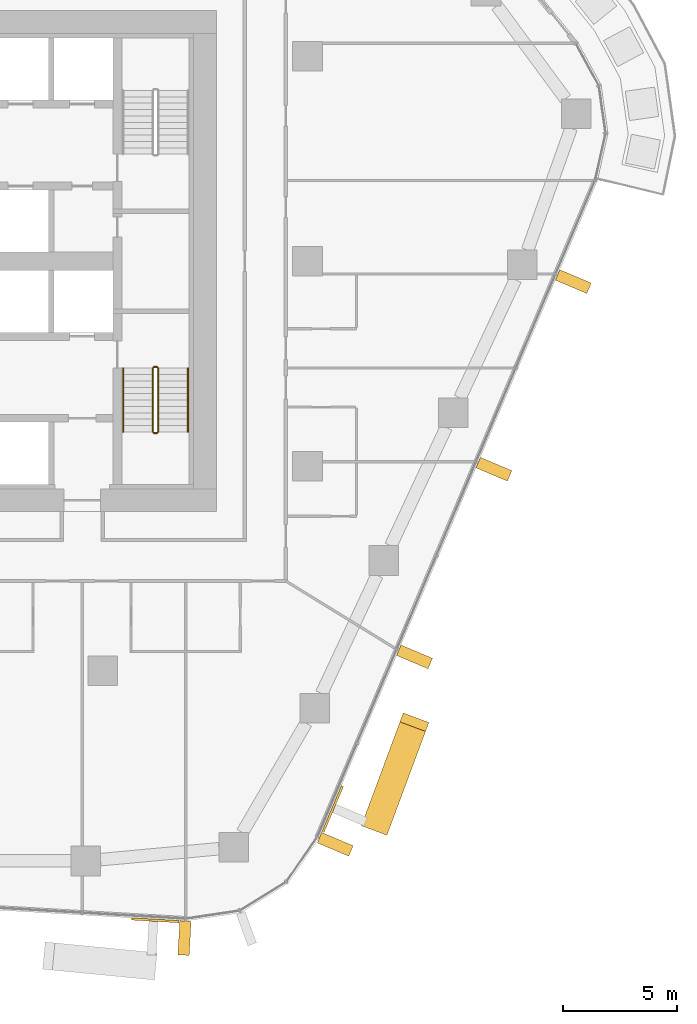
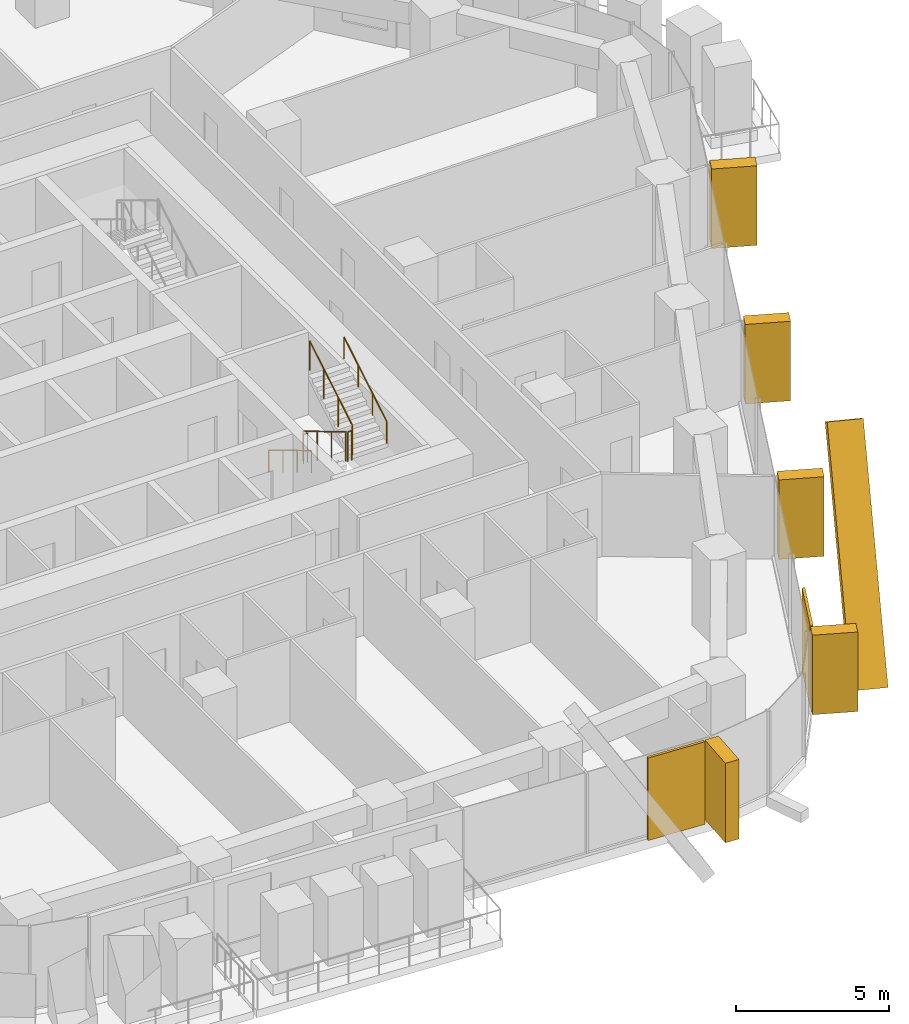
# One storey, part 20 of 23: 8 coverings, 6 railings, 2 elements without a shape of their own.
"""IFC4 building model written with IfcOpenShell, lengths in metres."""

import ifcopenshell
import ifcopenshell.guid

model = None  # the IFC model being written
_history = None  # IfcOwnerHistory: only IFC2X3 demands one
_inside = {}  # id of a spatial element -> (the spatial element, [elements in it])
_under = {}  # id of a project, library or spatial element -> (it, [spatial elements below it])
_declared = {}  # id of a project -> (the project, [libraries it declares])
_typed = {}  # id of a type object -> (the type object, [elements of that type])
_made_of = {}  # id of a material, layer set ... -> (it, [elements and type objects made of it])


def new_model(schema):
    """Start an empty IFC model of exactly this schema.

    Asked for "IFC4X3", IfcOpenShell would pick the latest addendum, in which some entities
    have other attributes; the version numbers below select the first issue.
    IFC2X3 requires an IfcOwnerHistory on every rooted entity: one is made here for all.
    """
    global model, _history
    if schema == "IFC4X3":
        model = ifcopenshell.file(schema_version=(4, 3, 0, 0))
    else:
        model = ifcopenshell.file(schema=schema)
    _inside.clear()
    _under.clear()
    _declared.clear()
    _typed.clear()
    _made_of.clear()
    _history = None
    if model.schema == "IFC2X3":
        org = make("IfcOrganization", Name="unknown")
        user = make(
            "IfcPersonAndOrganization",
            ThePerson=make("IfcPerson", FamilyName="unknown"),
            TheOrganization=org,
        )
        app = make(
            "IfcApplication",
            ApplicationDeveloper=org,
            Version="unknown",
            ApplicationFullName="unknown",
            ApplicationIdentifier="unknown",
        )
        _history = make(
            "IfcOwnerHistory",
            OwningUser=user,
            OwningApplication=app,
            ChangeAction="ADDED",
            CreationDate=0,
        )
    return model


def make(cls, **values):
    """One entity of the class cls with the attributes given. An attribute that is None is left unset."""
    return model.create_entity(
        cls, **{name: value for name, value in values.items() if value is not None}
    )


def rooted(cls, **values):
    """An entity with a GlobalId (a new one), such as an element, a storey or a relation."""
    return make(cls, GlobalId=ifcopenshell.guid.new(), OwnerHistory=_history, **values)


def si_unit(unit_type, name, prefix=None):
    """IfcSIUnit, for example si_unit("LENGTHUNIT", "METRE", prefix="MILLI")."""
    return make("IfcSIUnit", UnitType=unit_type, Prefix=prefix, Name=name)


def assignment(units):
    """IfcUnitAssignment: the units of a project."""
    return None if units is None else make("IfcUnitAssignment", Units=units)


def point(xyz):
    """IfcCartesianPoint."""
    return None if xyz is None else make("IfcCartesianPoint", Coordinates=xyz)


def direction(xyz):
    """IfcDirection."""
    return None if xyz is None else make("IfcDirection", DirectionRatios=xyz)


def frame(location, z_axis=None, x_axis=None):
    """IfcAxis2Placement3D, a coordinate frame: its origin and axes. An axis left out is left unset."""
    return make(
        "IfcAxis2Placement3D",
        Location=point(location),
        Axis=direction(z_axis),
        RefDirection=direction(x_axis),
    )


def frame_2d(location, x_axis=None):
    """IfcAxis2Placement2D, a coordinate frame in the plane: its origin and x axis."""
    return make(
        "IfcAxis2Placement2D", Location=point(location), RefDirection=direction(x_axis)
    )


def origin():
    """The frame at (0, 0, 0) with its axes left unset."""
    return frame((0.0, 0.0, 0.0))


def origin_2d():
    """The frame at (0, 0) in the plane with its x axis left unset."""
    return frame_2d((0.0, 0.0))


def place(relative_to, where):
    """IfcLocalPlacement: puts the frame where relative to a parent placement (None: the world)."""
    return make(
        "IfcLocalPlacement", PlacementRelTo=relative_to, RelativePlacement=where
    )


def context(
    kind, dimensions, precision=None, world=None, true_north=None, identifier=None
):
    """IfcGeometricRepresentationContext, for example the 3D "Model" context."""
    return make(
        "IfcGeometricRepresentationContext",
        ContextIdentifier=identifier,
        ContextType=kind,
        CoordinateSpaceDimension=dimensions,
        Precision=precision,
        WorldCoordinateSystem=world,
        TrueNorth=true_north,
    )


def subcontext(parent, identifier, kind, view, scale=None):
    """IfcGeometricRepresentationSubContext, for example "Body" below "Model"."""
    return make(
        "IfcGeometricRepresentationSubContext",
        ContextIdentifier=identifier,
        ContextType=kind,
        ParentContext=parent,
        TargetScale=scale,
        TargetView=view,
    )


def project(units=None, contexts=None):
    """IfcProject with its units and contexts."""
    return rooted(
        "IfcProject",
        Name="project",
        RepresentationContexts=contexts,
        UnitsInContext=assignment(units),
    )


def spatial(cls, under=None, at=None, **own):
    """A site, building, storey or space (cls), placed at a placement, below another one or the project."""
    s = rooted(cls, ObjectPlacement=at, **own)
    if under is not None:
        _under.setdefault(under.id(), (under, []))[1].append(s)
    return s


def profile(cls, at=None, kind="AREA", **sizes):
    """A parametric profile (cls). Its sizes go by their IFC names, for example OverallWidth=200.0."""
    return make(cls, ProfileType=kind, Position=at, **sizes)


def rectangle(**sizes):
    """IfcRectangleProfileDef."""
    return profile("IfcRectangleProfileDef", **sizes)


def circle(**sizes):
    """IfcCircleProfileDef."""
    return profile("IfcCircleProfileDef", **sizes)


def extrude(swept, where, along, depth):
    """IfcExtrudedAreaSolid: the profile swept, set in the frame where, extruded along a direction by depth."""
    return make(
        "IfcExtrudedAreaSolid",
        SweptArea=swept,
        Position=where,
        ExtrudedDirection=direction(along),
        Depth=depth,
    )


def shape(context_of_items, identifier, shape_type, items):
    """IfcShapeRepresentation: the items that make up one representation, for example the "Body"."""
    return make(
        "IfcShapeRepresentation",
        ContextOfItems=context_of_items,
        RepresentationIdentifier=identifier,
        RepresentationType=shape_type,
        Items=items,
    )


def material(Name=None, Category=None):
    """IfcMaterial."""
    return make("IfcMaterial", Name=Name, Category=Category)


def layer(
    of_material, thickness, ventilated=None, Name=None, Category=None, Priority=None
):
    """IfcMaterialLayer: one layer of a wall or slab, of a material (None: an air gap)."""
    return make(
        "IfcMaterialLayer",
        Material=of_material,
        LayerThickness=thickness,
        IsVentilated=ventilated,
        Name=Name,
        Category=Category,
        Priority=Priority,
    )


def layer_set(layers, Name=None):
    """IfcMaterialLayerSet."""
    return make("IfcMaterialLayerSet", MaterialLayers=layers, LayerSetName=Name)


def material_profile(
    of_material, cross_section, Name=None, Category=None, Priority=None
):
    """IfcMaterialProfile: a cross section and its material."""
    return make(
        "IfcMaterialProfile",
        Name=Name,
        Material=of_material,
        Profile=cross_section,
        Priority=Priority,
        Category=Category,
    )


def profile_set(profiles, Name=None, composite=None):
    """IfcMaterialProfileSet."""
    return make(
        "IfcMaterialProfileSet",
        Name=Name,
        MaterialProfiles=profiles,
        CompositeProfile=composite,
    )


def made_of(thing, what):
    """Note that an element or type object is made of a material, layer set ...; save() writes the relation."""
    if what is not None:
        _made_of.setdefault(what.id(), (what, []))[1].append(thing)
    return thing


def type_object(cls, material=None, **own):
    """A type object (cls), such as IfcWallType, which elements share."""
    return made_of(rooted(cls, **own), material)


def element(
    cls,
    number,
    at=None,
    inside=None,
    cuts=None,
    type_object=None,
    material=None,
    context=None,
    identifier="Body",
    shape_type=None,
    held_by="IfcProductDefinitionShape",
    body=None,
    shapes=None,
    **own,
):
    """One element of the class cls, such as IfcWall. Its Tag is "e" and its number.

    at: its placement. inside: the storey or other place that contains it. cuts: it is an
    opening in that element (IfcRelVoidsElement). A single representation is given by context,
    identifier, shape_type and body (its items); several are given by shapes. held_by: the class
    of the entity that holds the representations. save() writes the other relations.
    """
    e = rooted(cls, Tag="e%d" % number, ObjectPlacement=at, **own)
    if body is not None:
        shapes = [shape(context, identifier, shape_type, body)]
    if shapes is not None:
        e.Representation = make(held_by, Representations=shapes)
    if inside is not None:
        _inside.setdefault(inside.id(), (inside, []))[1].append(e)
    if cuts is not None:
        rooted(
            "IfcRelVoidsElement", RelatingBuildingElement=cuts, RelatedOpeningElement=e
        )
    if type_object is not None:
        _typed.setdefault(type_object.id(), (type_object, []))[1].append(e)
    return made_of(e, material)


def aggregate(whole, parts):
    """IfcRelAggregates: a whole, such as a stair, and the parts it consists of."""
    return rooted("IfcRelAggregates", RelatingObject=whole, RelatedObjects=parts)


def save(model, path):
    """Write the relations noted so far, then the file.

    IfcRelAggregates (storeys below a building ...), IfcRelContainedInSpatialStructure (elements
    in a storey), IfcRelDefinesByType, IfcRelAssociatesMaterial and IfcRelDeclares: one each for
    every whole, place, type object, material and project.
    """
    for whole, parts in _under.values():
        aggregate(whole, parts)
    for where, things in _inside.values():
        rooted(
            "IfcRelContainedInSpatialStructure",
            RelatedElements=things,
            RelatingStructure=where,
        )
    for kind, things in _typed.values():
        rooted("IfcRelDefinesByType", RelatedObjects=things, RelatingType=kind)
    for what, things in _made_of.values():
        rooted("IfcRelAssociatesMaterial", RelatedObjects=things, RelatingMaterial=what)
    for by, libraries in _declared.values():
        rooted("IfcRelDeclares", RelatingContext=by, RelatedDefinitions=libraries)
    model.write(path)


model = new_model("IFC4")

# Units and contexts
model_context = context("Model", 3, precision=1e-05, world=origin(), true_north=direction((0.0, 1.0)))
body_context = subcontext(model_context, "Body", "Model", "MODEL_VIEW")
ifc_project = project(units=[si_unit("LENGTHUNIT", "METRE"), si_unit("AREAUNIT", "SQUARE_METRE"), si_unit("VOLUMEUNIT", "CUBIC_METRE"), si_unit("PLANEANGLEUNIT", "RADIAN"), si_unit("MASSUNIT", "GRAM", prefix="KILO")], contexts=[model_context])

# Site, building, storey
site_placement = place(None, origin())
site = spatial("IfcSite", under=ifc_project, at=site_placement, CompositionType="ELEMENT")
building_placement = place(site_placement, origin())
building = spatial("IfcBuilding", under=site, at=building_placement, Name="Dongbaek Canopy Tower", CompositionType="ELEMENT")
storey_placement = place(building_placement, frame((0.0, 0.0, 121.10009765625)))
storey = spatial("IfcBuildingStorey", under=building, at=storey_placement, Name="L26", CompositionType="ELEMENT", Elevation=121.10009765625)

# Curtain wall, covering
ifc_material_1 = material(Name="Aluminium 6063-T6 pale anodised", Category="aluminium")
ifc_layer_1 = layer(ifc_material_1, 0.199951171875)
ifc_layer_set_1 = layer_set([ifc_layer_1], Name="CW-1 unitised tower curtain wall")
curtain_wall_type = type_object("IfcCurtainWallType", Name="CW-1 unitised tower curtain wall", PredefinedType="NOTDEFINED", material=ifc_layer_set_1)
curtain_wall_1_placement = place(storey_placement, origin())
curtain_wall_1 = element("IfcCurtainWall", 1, at=curtain_wall_1_placement, inside=storey, type_object=curtain_wall_type, Name="CW-1 curtain wall F5.1", PredefinedType="NOTDEFINED")
ifc_material_2 = material(Name="Aluminium 6063-T6 pale metal fin", Category="aluminium")
ifc_material_profile_1 = material_profile(ifc_material_2, rectangle(XDim=1.199951171875, YDim=0.5, at=origin_2d()), Name="Crease fin CF1 500 x 1200 pale metal")
ifc_profile_set_1 = profile_set([ifc_material_profile_1], Name="Aluminium 6063-T6 pale metal fin")
covering_type_1 = type_object("IfcCoveringType", Name="Crease fin CF1 500 x 1200 pale metal", PredefinedType="CLADDING", material=ifc_profile_set_1)
covering_1_placement = place(storey_placement, frame((21.000244140625, -24.81201171875, -0.2001953125), z_axis=(0.191497732632, 0.514979219956, 0.835538761165), x_axis=(-0.937294667947, 0.348537954086, 0.0)))
covering_1 = element("IfcCovering", 2, at=covering_1_placement, type_object=covering_type_1, Name="Crease fin L26 L28 F5", PredefinedType="CLADDING", context=body_context, shape_type="SweptSolid", body=[
    extrude(rectangle(XDim=1.199951171875, YDim=0.5, at=origin_2d()), origin(), (0.0, 0.0, 1.0), 8.856689453125),
])

curtain_wall_2_placement = place(storey_placement, origin())
curtain_wall_2 = element("IfcCurtainWall", 3, at=curtain_wall_2_placement, inside=storey, type_object=curtain_wall_type, Name="CW-1 curtain wall F4.1", PredefinedType="NOTDEFINED")
ifc_material_3 = material(Name="Perforated aluminium 6063-T6 pale metal screen", Category="aluminium")
ifc_layer_2 = layer(ifc_material_3, 0.10009765625)
ifc_layer_set_2 = layer_set([ifc_layer_2], Name="Facet screen FS1 100 pale metal")
covering_type_2 = type_object("IfcCoveringType", Name="Facet screen FS1 100 pale metal", PredefinedType="CLADDING", material=ifc_layer_set_2)
covering_2_placement = place(storey_placement, frame((11.306396484375, -28.952880859375, 0.0), z_axis=(0.0, 0.0, 1.0), x_axis=(0.998330847517, -0.057753951351, 0.0)))
covering_2 = element("IfcCovering", 4, at=covering_2_placement, type_object=covering_type_2, Name="Facet screen L26 F4", PredefinedType="CLADDING", context=body_context, shape_type="SweptSolid", body=[
    extrude(rectangle(XDim=2.08935546875, YDim=0.10009765625, at=origin_2d()), origin(), (0.0, 0.0, 1.0), 3.300048828125),
])

# Covering
covering_3_placement = place(storey_placement, frame((19.1103515625, -24.064697265625, 0.0), z_axis=(0.0, 0.0, 1.0), x_axis=(0.389662487162, 0.920957733069, 0.0)))
covering_3 = element("IfcCovering", 5, at=covering_3_placement, type_object=covering_type_2, Name="Facet screen L26 F5", PredefinedType="CLADDING", context=body_context, shape_type="SweptSolid", body=[
    extrude(rectangle(XDim=2.19189453125, YDim=0.10009765625, at=origin_2d()), origin(), (0.0, 0.0, 1.0), 3.300048828125),
])

ifc_material_4 = material(Name="Aluminium 6063-T6 pale metal fin", Category="aluminium")
ifc_material_profile_2 = material_profile(ifc_material_4, rectangle(XDim=1.5, YDim=0.5, at=origin_2d()), Name="Fin FN1 500 x 1500 pale metal")
ifc_profile_set_2 = profile_set([ifc_material_profile_2], Name="Aluminium 6063-T6 pale metal fin")
covering_type_3 = type_object("IfcCoveringType", Name="Fin FN1 500 x 1500 pale metal", PredefinedType="CLADDING", material=ifc_profile_set_2)
covering_4_placement = place(storey_placement, frame((12.59814453125, -29.73291015625, 0.119873046875), z_axis=(0.0, 0.0, 1.0), x_axis=(-0.057753163239, -0.998330893109, 0.0)))
covering_4 = element("IfcCovering", 6, at=covering_4_placement, type_object=covering_type_3, Name="Fin F4.1.3", PredefinedType="CLADDING", context=body_context, shape_type="SweptSolid", body=[
    extrude(rectangle(XDim=1.5, YDim=0.5, at=origin_2d()), origin(), (0.0, 0.0, 1.0), 3.179931640625),
])

aggregate(curtain_wall_2, [covering_4, covering_2])

covering_5_placement = place(storey_placement, frame((19.21875, -25.615478515625, 0.119873046875), z_axis=(0.0, 0.0, 1.0), x_axis=(0.920957724744, -0.389662506836, 0.0)))
covering_5 = element("IfcCovering", 7, at=covering_5_placement, type_object=covering_type_3, Name="Fin F5.1.1", PredefinedType="CLADDING", context=body_context, shape_type="SweptSolid", body=[
    extrude(rectangle(XDim=1.5, YDim=0.5, at=origin_2d()), origin(), (0.0, 0.0, 1.0), 3.179931640625),
])

covering_6_placement = place(storey_placement, frame((22.701904296875, -17.383056640625, 0.119873046875), z_axis=(0.0, 0.0, 1.0), x_axis=(0.920957724744, -0.389662506836, 0.0)))
covering_6 = element("IfcCovering", 8, at=covering_6_placement, type_object=covering_type_3, Name="Fin F5.1.3", PredefinedType="CLADDING", context=body_context, shape_type="SweptSolid", body=[
    extrude(rectangle(XDim=1.5, YDim=0.5, at=origin_2d()), origin(), (0.0, 0.0, 1.0), 3.179931640625),
])

covering_7_placement = place(storey_placement, frame((26.189208984375, -9.14111328125, 0.119873046875), z_axis=(0.0, 0.0, 1.0), x_axis=(0.920957724744, -0.389662506836, 0.0)))
covering_7 = element("IfcCovering", 9, at=covering_7_placement, type_object=covering_type_3, Name="Fin F5.1.5", PredefinedType="CLADDING", context=body_context, shape_type="SweptSolid", body=[
    extrude(rectangle(XDim=1.5, YDim=0.5, at=origin_2d()), origin(), (0.0, 0.0, 1.0), 3.179931640625),
])

covering_8_placement = place(storey_placement, frame((29.67626953125, -0.899169921875, 0.119873046875), z_axis=(0.0, 0.0, 1.0), x_axis=(0.920957724744, -0.389662506836, 0.0)))
covering_8 = element("IfcCovering", 10, at=covering_8_placement, type_object=covering_type_3, Name="Fin F5.1.7", PredefinedType="CLADDING", context=body_context, shape_type="SweptSolid", body=[
    extrude(rectangle(XDim=1.5, YDim=0.5, at=origin_2d()), origin(), (0.0, 0.0, 1.0), 3.179931640625),
])

aggregate(curtain_wall_1, [covering_5, covering_6, covering_7, covering_8, covering_1, covering_3])

# Railings
ifc_material_5 = material(Name="Stainless steel tube and balusters", Category="steel")
railing_type_1 = type_object("IfcRailingType", Name="Stair guard 1200", PredefinedType="GUARDRAIL", material=ifc_material_5)
railing_1_placement = place(storey_placement, frame((11.199951171875, -4.699951171875, 0.16796875)))
element("IfcRailing", 11, at=railing_1_placement, inside=storey, type_object=railing_type_1, Name="L26 ST-B stair guard 1", PredefinedType="GUARDRAIL", context=body_context, shape_type="SweptSolid", body=[
    extrude(circle(Radius=0.02392578125, at=origin_2d()), frame((0.0, 0.0, 1.17578125), z_axis=(0.0, -0.857242210791, 0.514913383045), x_axis=(1.0, 0.0, 0.0)), (0.0, 0.0, 1.0), 3.266357421875),
    extrude(circle(Radius=0.02099609375, at=origin_2d()), origin(), (0.0, 0.0, 1.0), 1.15185546875),
    extrude(circle(Radius=0.02099609375, at=origin_2d()), frame((0.0, -0.933349609375, 0.560546875)), (0.0, 0.0, 1.0), 1.15185546875),
    extrude(circle(Radius=0.02099609375, at=origin_2d()), frame((0.0, -1.86669921875, 1.121337890625)), (0.0, 0.0, 1.0), 1.15185546875),
    extrude(circle(Radius=0.02099609375, at=origin_2d()), frame((0.0, -2.800048828125, 1.681884765625)), (0.0, 0.0, 1.0), 1.15185546875),
])
railing_2_placement = place(storey_placement, frame((11.25, -7.550048828125, 1.849853515625)))
element("IfcRailing", 12, at=railing_2_placement, inside=storey, type_object=railing_type_1, Name="L26 ST-B stair guard 2", PredefinedType="GUARDRAIL", context=body_context, shape_type="SweptSolid", body=[
    extrude(circle(Radius=0.02392578125, at=origin_2d()), frame((0.0, 0.0, 1.17578125), z_axis=(1.0, 0.0, 0.0), x_axis=(0.0, 1.0, 0.0)), (0.0, 0.0, 1.0), 0.14990234375),
    extrude(circle(Radius=0.02099609375, at=origin_2d()), origin(), (0.0, 0.0, 1.0), 1.15185546875),
    extrude(circle(Radius=0.02099609375, at=origin_2d()), frame((0.14990234375, 0.0, 0.0)), (0.0, 0.0, 1.0), 1.15185546875),
])
railing_3_placement = place(storey_placement, frame((11.449951171875, -7.5, 2.01806640625)))
element("IfcRailing", 13, at=railing_3_placement, inside=storey, type_object=railing_type_1, Name="L26 ST-B stair guard 3", PredefinedType="GUARDRAIL", context=body_context, shape_type="SweptSolid", body=[
    extrude(circle(Radius=0.02392578125, at=origin_2d()), frame((0.0, 0.0, 1.17578125), z_axis=(0.0, 0.857242210791, 0.514913383045), x_axis=(-1.0, 0.0, 0.0)), (0.0, 0.0, 1.0), 3.266357421875),
    extrude(circle(Radius=0.02099609375, at=origin_2d()), origin(), (0.0, 0.0, 1.0), 1.15185546875),
    extrude(circle(Radius=0.02099609375, at=origin_2d()), frame((0.0, 0.933349609375, 0.560546875)), (0.0, 0.0, 1.0), 1.15185546875),
    extrude(circle(Radius=0.02099609375, at=origin_2d()), frame((0.0, 1.86669921875, 1.121337890625)), (0.0, 0.0, 1.0), 1.15185546875),
    extrude(circle(Radius=0.02099609375, at=origin_2d()), frame((0.0, 2.800048828125, 1.681884765625)), (0.0, 0.0, 1.0), 1.15185546875),
])
railing_4_placement = place(storey_placement, frame((11.25, -4.64990234375, 0.0)))
element("IfcRailing", 14, at=railing_4_placement, inside=storey, type_object=railing_type_1, Name="L26 ST-B stair guard 4", PredefinedType="GUARDRAIL", context=body_context, shape_type="SweptSolid", body=[
    extrude(circle(Radius=0.02392578125, at=origin_2d()), frame((0.0, 0.0, 1.17578125), z_axis=(1.0, 0.0, 0.0), x_axis=(0.0, 1.0, 0.0)), (0.0, 0.0, 1.0), 0.14990234375),
    extrude(circle(Radius=0.02099609375, at=origin_2d()), origin(), (0.0, 0.0, 1.0), 1.15185546875),
    extrude(circle(Radius=0.02099609375, at=origin_2d()), frame((0.14990234375, 0.0, 0.0)), (0.0, 0.0, 1.0), 1.15185546875),
])
ifc_material_6 = material(Name="Stainless steel tube", Category="steel")
railing_type_2 = type_object("IfcRailingType", Name="Stair handrail 900", PredefinedType="HANDRAIL", material=ifc_material_6)
railing_5_placement = place(storey_placement, frame((9.89990234375, -4.699951171875, 0.16796875)))
element("IfcRailing", 15, at=railing_5_placement, inside=storey, type_object=railing_type_2, Name="L26 ST-B stair handrail 1", PredefinedType="HANDRAIL", context=body_context, shape_type="SweptSolid", body=[
    extrude(circle(Radius=0.02392578125, at=origin_2d()), frame((0.0, 0.0, 0.8759765625), z_axis=(0.0, -0.857242210791, 0.514913383045), x_axis=(1.0, 0.0, 0.0)), (0.0, 0.0, 1.0), 3.266357421875),
    extrude(circle(Radius=0.02099609375, at=origin_2d()), origin(), (0.0, 0.0, 1.0), 0.851806640625),
    extrude(circle(Radius=0.02099609375, at=origin_2d()), frame((0.0, -0.933349609375, 0.560546875)), (0.0, 0.0, 1.0), 0.851806640625),
    extrude(circle(Radius=0.02099609375, at=origin_2d()), frame((0.0, -1.86669921875, 1.121337890625)), (0.0, 0.0, 1.0), 0.851806640625),
    extrude(circle(Radius=0.02099609375, at=origin_2d()), frame((0.0, -2.800048828125, 1.681884765625)), (0.0, 0.0, 1.0), 0.851806640625),
])
railing_6_placement = place(storey_placement, frame((12.75, -7.5, 2.01806640625)))
element("IfcRailing", 16, at=railing_6_placement, inside=storey, type_object=railing_type_2, Name="L26 ST-B stair handrail 2", PredefinedType="HANDRAIL", context=body_context, shape_type="SweptSolid", body=[
    extrude(circle(Radius=0.02392578125, at=origin_2d()), frame((0.0, 0.0, 0.8759765625), z_axis=(0.0, 0.857242210791, 0.514913383045), x_axis=(-1.0, 0.0, 0.0)), (0.0, 0.0, 1.0), 3.266357421875),
    extrude(circle(Radius=0.02099609375, at=origin_2d()), origin(), (0.0, 0.0, 1.0), 0.851806640625),
    extrude(circle(Radius=0.02099609375, at=origin_2d()), frame((0.0, 0.933349609375, 0.560546875)), (0.0, 0.0, 1.0), 0.851806640625),
    extrude(circle(Radius=0.02099609375, at=origin_2d()), frame((0.0, 1.86669921875, 1.121337890625)), (0.0, 0.0, 1.0), 0.851806640625),
    extrude(circle(Radius=0.02099609375, at=origin_2d()), frame((0.0, 2.800048828125, 1.681884765625)), (0.0, 0.0, 1.0), 0.851806640625),
])

save(model, "model.ifc")
